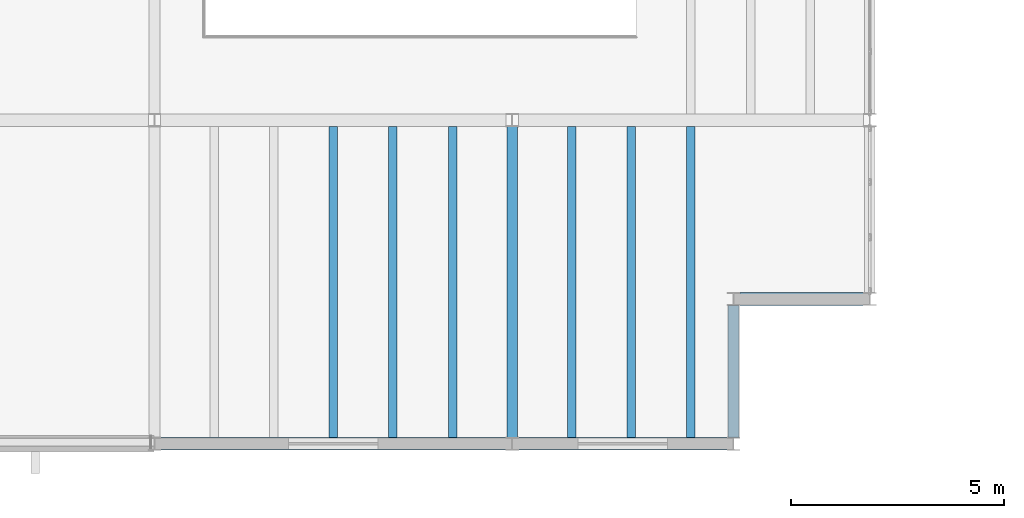
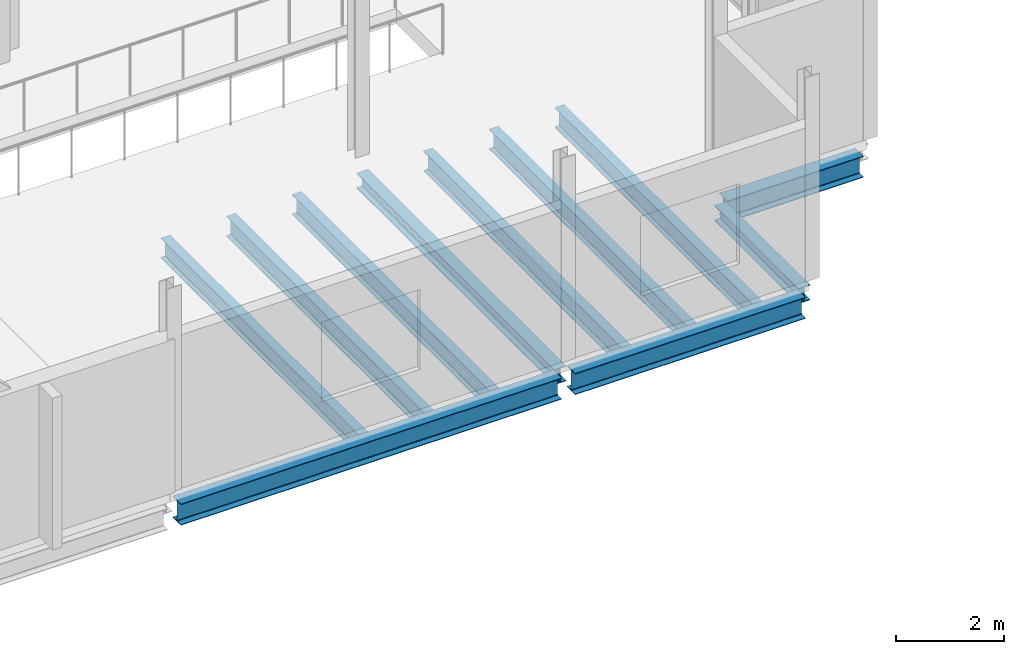
# One storey, part 16 of 136: 11 beams.
"""IFC4 building model written with IfcOpenShell, lengths in metres."""

from ifc_helpers import new_model, si_unit, direction, frame, origin, origin_2d, place, context, subcontext, project, spatial, i_section, extrude, material, material_profile, profile_set, type_object, element, save


model = new_model("IFC4")

# Units and contexts
model_context = context("Model", 3, precision=1e-05, world=origin(), true_north=direction((0.0, 1.0)))
body_context = subcontext(model_context, "Body", "Model", "MODEL_VIEW")
ifc_project = project(units=[si_unit("LENGTHUNIT", "METRE"), si_unit("AREAUNIT", "SQUARE_METRE"), si_unit("VOLUMEUNIT", "CUBIC_METRE"), si_unit("PLANEANGLEUNIT", "RADIAN"), si_unit("MASSUNIT", "GRAM", prefix="KILO")], contexts=[model_context])

# Site, building, storey
site_placement = place(None, origin())
site = spatial("IfcSite", under=ifc_project, at=site_placement, CompositionType="ELEMENT")
building_placement = place(site_placement, origin())
building = spatial("IfcBuilding", under=site, at=building_placement, Name="Shengluoqiao Park Theatre", CompositionType="ELEMENT")
storey_placement = place(building_placement, frame((0.0, 0.0, 10.0)))
storey = spatial("IfcBuildingStorey", under=building, at=storey_placement, Name="L02", CompositionType="ELEMENT", Elevation=10.0)

# Beams
ifc_material = material(Name="Steel Q355", Category="steel")
ifc_material_profile_1 = material_profile(ifc_material, i_section(OverallWidth=0.25, OverallDepth=0.340087890625, WebThickness=0.009033203125, FlangeThickness=0.013916015625, FilletRadius=0.01611328125, at=origin_2d()), Name="HM 340x250x9x14")
ifc_profile_set_1 = profile_set([ifc_material_profile_1], Name="Steel Q355")
beam_type_1 = type_object("IfcBeamType", Name="STR-BM-G-HM340", PredefinedType="BEAM", material=ifc_profile_set_1)
beam_1_placement = place(storey_placement, frame((36.0, 0.14404296875, -0.510009765625), z_axis=(0.0, 1.0, 0.0), x_axis=(-1.0, 0.0, 0.0)))
element("IfcBeam", 1, at=beam_1_placement, inside=storey, type_object=beam_type_1, Name="L02 Transverse Girder 00911", PredefinedType="BEAM", context=body_context, shape_type="SweptSolid", body=[
    extrude(i_section(OverallWidth=0.25, OverallDepth=0.340087890625, WebThickness=0.009033203125, FlangeThickness=0.013916015625, FilletRadius=0.01611328125, at=origin_2d()), origin(), (0.0, 0.0, 1.0), 7.31201171875),
])
beam_2_placement = place(storey_placement, frame((41.199951171875, 0.14990234375, -0.510009765625), z_axis=(0.0, 1.0, 0.0), x_axis=(-1.0, 0.0, 0.0)))
element("IfcBeam", 2, at=beam_2_placement, inside=storey, type_object=beam_type_1, Name="L02 V4 Corner Step Girder 005", PredefinedType="BEAM", context=body_context, shape_type="SweptSolid", body=[
    extrude(i_section(OverallWidth=0.25, OverallDepth=0.340087890625, WebThickness=0.009033203125, FlangeThickness=0.013916015625, FilletRadius=0.01611328125, at=origin_2d()), origin(), (0.0, 0.0, 1.0), 3.10009765625),
])
ifc_material_profile_2 = material_profile(ifc_material, i_section(OverallWidth=0.300048828125, OverallDepth=0.48193359375, WebThickness=0.010986328125, FlangeThickness=0.014892578125, FilletRadius=0.02197265625, at=origin_2d()), Name="HM 482x300x11x15")
ifc_profile_set_2 = profile_set([ifc_material_profile_2], Name="Steel Q355")
beam_type_2 = type_object("IfcBeamType", Name="STR-BM-G-HM482", PredefinedType="BEAM", material=ifc_profile_set_2)
beam_3_placement = place(storey_placement, frame((27.743896484375, 0.0, -0.5810546875), z_axis=(1.0, 0.0, 0.0), x_axis=(0.0, 1.0, 0.0)))
element("IfcBeam", 3, at=beam_3_placement, inside=storey, type_object=beam_type_2, Name="L02 Primary Girder 00904", PredefinedType="BEAM", context=body_context, shape_type="SweptSolid", body=[
    extrude(i_section(OverallWidth=0.300048828125, OverallDepth=0.48193359375, WebThickness=0.010986328125, FlangeThickness=0.014892578125, FilletRadius=0.02197265625, at=origin_2d()), origin(), (0.0, 0.0, 1.0), 8.112060546875),
])
beam_4_placement = place(storey_placement, frame((36.14404296875, 0.0, -0.5810546875), z_axis=(1.0, 0.0, 0.0), x_axis=(0.0, 1.0, 0.0)))
element("IfcBeam", 4, at=beam_4_placement, inside=storey, type_object=beam_type_2, Name="L02 Primary Girder 00905", PredefinedType="BEAM", context=body_context, shape_type="SweptSolid", body=[
    extrude(i_section(OverallWidth=0.300048828125, OverallDepth=0.48193359375, WebThickness=0.010986328125, FlangeThickness=0.014892578125, FilletRadius=0.02197265625, at=origin_2d()), origin(), (0.0, 0.0, 1.0), 4.911865234375),
])
beam_5_placement = place(storey_placement, frame((41.35009765625, 3.39990234375, -0.5810546875), z_axis=(1.0, 0.0, 0.0), x_axis=(0.0, 1.0, 0.0)))
element("IfcBeam", 5, at=beam_5_placement, inside=storey, type_object=beam_type_2, Name="L02 V4 Corner Step Girder 006", PredefinedType="BEAM", context=body_context, shape_type="SweptSolid", body=[
    extrude(i_section(OverallWidth=0.300048828125, OverallDepth=0.48193359375, WebThickness=0.010986328125, FlangeThickness=0.014892578125, FilletRadius=0.02197265625, at=origin_2d()), origin(), (0.0, 0.0, 1.0), 2.89990234375),
])
ifc_material_profile_3 = material_profile(ifc_material, i_section(OverallWidth=0.199951171875, OverallDepth=0.449951171875, WebThickness=0.009033203125, FlangeThickness=0.013916015625, FilletRadius=0.01611328125, at=origin_2d()), Name="HN 450x200x9x14")
ifc_profile_set_3 = profile_set([ifc_material_profile_3], Name="Steel Q355")
beam_type_3 = type_object("IfcBeamType", Name="STR-BM-J-HN450", PredefinedType="JOIST", material=ifc_profile_set_3)
for number, where, z_axis, x_axis, name in (
    (6, (31.800048828125, 0.14501953125, -0.56494140625), (0.0, 1.0, 0.0), (-1.0, 0.0, 0.0), "L02 Composite Joist 00918"),
    (7, (33.199951171875, 0.14501953125, -0.56494140625), (0.0, 1.0, 0.0), (-1.0, 0.0, 0.0), "L02 Composite Joist 00919"),
    (8, (34.60009765625, 0.14501953125, -0.56494140625), (0.0, 1.0, 0.0), (-1.0, 0.0, 0.0), "L02 Composite Joist 00920"),
    (9, (37.39990234375, 0.14501953125, -0.56494140625), (0.0, 1.0, 0.0), (-1.0, 0.0, 0.0), "L02 Composite Joist 00921"),
    (10, (38.800048828125, 0.14501953125, -0.56494140625), (0.0, 1.0, 0.0), (-1.0, 0.0, 0.0), "L02 Composite Joist 00922"),
    (11, (40.199951171875, 0.14501953125, -0.56494140625), (0.0, 1.0, 0.0), (-1.0, 0.0, 0.0), "L02 Composite Joist 00923"),
):
    element("IfcBeam", number, at=place(storey_placement, frame(where, z_axis=z_axis, x_axis=x_axis)), inside=storey, type_object=beam_type_3, Name=name, PredefinedType="JOIST", context=body_context, shape_type="SweptSolid", body=[
        extrude(i_section(OverallWidth=0.199951171875, OverallDepth=0.449951171875, WebThickness=0.009033203125, FlangeThickness=0.013916015625, FilletRadius=0.01611328125, at=origin_2d()), origin(), (0.0, 0.0, 1.0), 7.31005859375),
    ])

save(model, "model.ifc")
